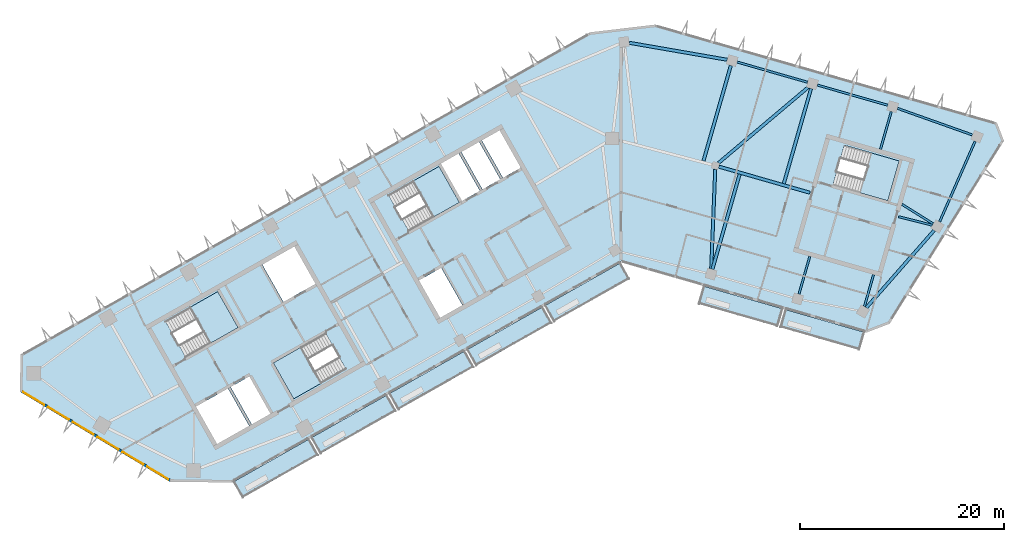
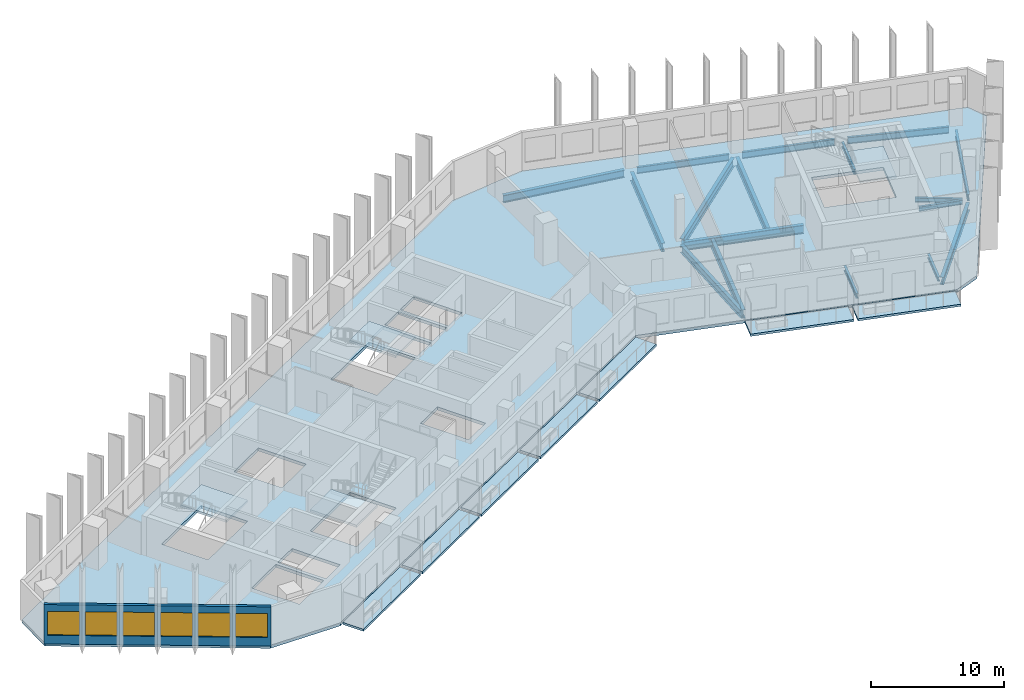
# One storey, part 2 of 12: 17 beams, 12 slabs, 6 windows, 1 wall, 6 openings, 4 elements without a shape of their own.
"""IFC4 building model written with IfcOpenShell, lengths in metres."""

from ifc_helpers import new_model, si_unit, direction, frame, frame_2d, origin, origin_2d, place, context, subcontext, project, spatial, polyline, rectangle, i_section, outline, extrude, material, layer, layer_set, material_profile, profile_set, type_object, element, fill, aggregate, save


model = new_model("IFC4")

# Units and contexts
model_context = context("Model", 3, precision=1e-05, world=origin(), true_north=direction((0.0, 1.0)))
body_context = subcontext(model_context, "Body", "Model", "MODEL_VIEW")
ifc_project = project(units=[si_unit("LENGTHUNIT", "METRE"), si_unit("AREAUNIT", "SQUARE_METRE"), si_unit("VOLUMEUNIT", "CUBIC_METRE"), si_unit("PLANEANGLEUNIT", "RADIAN"), si_unit("MASSUNIT", "GRAM", prefix="KILO")], contexts=[model_context])

# Site, building, storey
site_placement = place(None, origin())
site = spatial("IfcSite", under=ifc_project, at=site_placement, CompositionType="ELEMENT")
building_placement = place(site_placement, origin())
building = spatial("IfcBuilding", under=site, at=building_placement, Name="Binnacle Exchange Tower", CompositionType="ELEMENT")
storey_placement = place(building_placement, frame((0.0, 0.0, 215.300048828125)))
storey = spatial("IfcBuildingStorey", under=building, at=storey_placement, Name="L47", CompositionType="ELEMENT", Elevation=215.300048828125)

# Beams
ifc_material_1 = material(Name="Steel S355 (SHN355)", Category="steel")
ifc_material_profile_1 = material_profile(ifc_material_1, i_section(OverallWidth=0.199951171875, OverallDepth=0.60009765625, WebThickness=0.010986328125, FlangeThickness=0.01708984375, FilletRadius=0.02197265625, at=origin_2d()), Name="H 600x200x11x17")
ifc_profile_set_1 = profile_set([ifc_material_profile_1], Name="Steel S355 (SHN355)")
beam_type_1 = type_object("IfcBeamType", Name="Edge girder H 600x200x11x17 Steel S355 (SHN355)", PredefinedType="SPANDREL", material=ifc_profile_set_1)
beam_1_placement = place(storey_placement, frame((18.265625, 65.513916015625, -0.580078125), z_axis=(-0.961255050864, 0.275660528891, 0.0), x_axis=(-0.275660528891, -0.961255050864, 0.0)))
element("IfcBeam", 1, at=beam_1_placement, inside=storey, type_object=beam_type_1, Name="S:BM:edge:L47:029", PredefinedType="SPANDREL", context=body_context, shape_type="SweptSolid", body=[
    extrude(i_section(OverallWidth=0.199951171875, OverallDepth=0.60009765625, WebThickness=0.010986328125, FlangeThickness=0.01708984375, FilletRadius=0.02197265625, at=origin_2d()), origin(), (0.0, 0.0, 1.0), 7.1728515625),
])
beam_2_placement = place(storey_placement, frame((26.1220703125, 63.26123046875, -0.580078125), z_axis=(-0.96126665508, 0.275620060647, 0.0), x_axis=(-0.275620060647, -0.96126665508, 0.0)))
element("IfcBeam", 2, at=beam_2_placement, inside=storey, type_object=beam_type_1, Name="S:BM:edge:L47:031", PredefinedType="SPANDREL", context=body_context, shape_type="SweptSolid", body=[
    extrude(i_section(OverallWidth=0.199951171875, OverallDepth=0.60009765625, WebThickness=0.010986328125, FlangeThickness=0.01708984375, FilletRadius=0.02197265625, at=origin_2d()), origin(), (0.0, 0.0, 1.0), 7.173095703125),
])
ifc_material_profile_2 = material_profile(ifc_material_1, i_section(OverallWidth=0.200927734375, OverallDepth=0.60595703125, WebThickness=0.011962890625, FlangeThickness=0.02001953125, FilletRadius=0.02197265625, at=origin_2d()), Name="H 606x201x12x20")
ifc_profile_set_2 = profile_set([ifc_material_profile_2], Name="Steel S355 (SHN355)")
beam_type_2 = type_object("IfcBeamType", Name="Edge girder H 606x201x12x20 Steel S355 (SHN355)", PredefinedType="SPANDREL", material=ifc_profile_set_2)
beam_3_placement = place(storey_placement, frame((34.3984375, 60.3544921875, -0.5830078125), z_axis=(-0.942323270608, 0.334704128553, 0.0), x_axis=(-0.334704128553, -0.942323270608, 0.0)))
element("IfcBeam", 3, at=beam_3_placement, inside=storey, type_object=beam_type_2, Name="S:BM:edge:L47:033", PredefinedType="SPANDREL", context=body_context, shape_type="SweptSolid", body=[
    extrude(i_section(OverallWidth=0.200927734375, OverallDepth=0.60595703125, WebThickness=0.011962890625, FlangeThickness=0.02001953125, FilletRadius=0.02197265625, at=origin_2d()), origin(), (0.0, 0.0, 1.0), 7.77197265625),
])
ifc_material_profile_3 = material_profile(ifc_material_1, i_section(OverallWidth=0.201904296875, OverallDepth=0.612060546875, WebThickness=0.012939453125, FlangeThickness=0.02294921875, FilletRadius=0.02197265625, at=origin_2d()), Name="H 612x202x13x23")
ifc_profile_set_3 = profile_set([ifc_material_profile_3], Name="Steel S355 (SHN355)")
beam_type_3 = type_object("IfcBeamType", Name="Edge girder H 612x202x13x23 Steel S355 (SHN355)", PredefinedType="SPANDREL", material=ifc_profile_set_3)
beam_4_placement = place(storey_placement, frame((31.193359375, 51.848388671875, -0.5859375), z_axis=(0.403459457176, 0.914997522628, 0.0), x_axis=(-0.914997522628, 0.403459457176, 0.0)))
element("IfcBeam", 4, at=beam_4_placement, inside=storey, type_object=beam_type_3, Name="S:BM:edge:L47:032", PredefinedType="SPANDREL", context=body_context, shape_type="SweptSolid", body=[
    extrude(i_section(OverallWidth=0.201904296875, OverallDepth=0.612060546875, WebThickness=0.012939453125, FlangeThickness=0.02294921875, FilletRadius=0.02197265625, at=origin_2d()), origin(), (0.0, 0.0, 1.0), 8.61328125),
])
ifc_material_profile_4 = material_profile(ifc_material_1, i_section(OverallWidth=0.300048828125, OverallDepth=0.699951171875, WebThickness=0.012939453125, FlangeThickness=0.02392578125, FilletRadius=0.028076171875, at=origin_2d()), Name="H 700x300x13x24")
ifc_profile_set_4 = profile_set([ifc_material_profile_4], Name="Steel S355 (SHN355)")
beam_type_4 = type_object("IfcBeamType", Name="Edge girder H 700x300x13x24 Steel S355 (SHN355)", PredefinedType="SPANDREL", material=ifc_profile_set_4)
beam_5_placement = place(storey_placement, frame((10.39453125, 67.71484375, -0.630126953125), z_axis=(-0.985315512383, 0.170743494921, 0.0), x_axis=(-0.170743494921, -0.985315512383, 0.0)))
element("IfcBeam", 5, at=beam_5_placement, inside=storey, type_object=beam_type_4, Name="S:BM:edge:L47:027", PredefinedType="SPANDREL", context=body_context, shape_type="SweptSolid", body=[
    extrude(i_section(OverallWidth=0.300048828125, OverallDepth=0.699951171875, WebThickness=0.012939453125, FlangeThickness=0.02392578125, FilletRadius=0.028076171875, at=origin_2d()), origin(), (0.0, 0.0, 1.0), 9.72314453125),
])
beam_6_placement = place(storey_placement, frame((24.026123046875, 43.44580078125, -0.630126953125), z_axis=(0.659336218273, 0.751848223562, 0.0), x_axis=(-0.751848223562, 0.659336218273, 0.0)))
element("IfcBeam", 6, at=beam_6_placement, inside=storey, type_object=beam_type_4, Name="S:BM:edge:L47:030", PredefinedType="SPANDREL", context=body_context, shape_type="SweptSolid", body=[
    extrude(i_section(OverallWidth=0.300048828125, OverallDepth=0.699951171875, WebThickness=0.012939453125, FlangeThickness=0.02392578125, FilletRadius=0.028076171875, at=origin_2d()), origin(), (0.0, 0.0, 1.0), 10.0546875),
])
ifc_material_profile_5 = material_profile(ifc_material_1, i_section(OverallWidth=0.199951171875, OverallDepth=0.39990234375, WebThickness=0.008056640625, FlangeThickness=0.012939453125, FilletRadius=0.01611328125, at=origin_2d()), Name="H 400x200x8x13")
ifc_profile_set_5 = profile_set([ifc_material_profile_5], Name="Steel S355 (SHN355)")
beam_type_5 = type_object("IfcBeamType", Name="Floor beam H 400x200x8x13 Steel S355 (SHN355)", PredefinedType="BEAM", material=ifc_profile_set_5)
beam_7_placement = place(storey_placement, frame((23.832275390625, 43.55810546875, -0.47998046875), z_axis=(0.275607869103, 0.961270150628, 0.0), x_axis=(-0.961270150628, 0.275607869103, 0.0)))
element("IfcBeam", 7, at=beam_7_placement, inside=storey, type_object=beam_type_5, Name="S:BM:cross:L47:051", PredefinedType="BEAM", context=body_context, shape_type="SweptSolid", body=[
    extrude(i_section(OverallWidth=0.199951171875, OverallDepth=0.39990234375, WebThickness=0.008056640625, FlangeThickness=0.012939453125, FilletRadius=0.01611328125, at=origin_2d()), origin(), (0.0, 0.0, 1.0), 3.23583984375),
])
beam_8_placement = place(storey_placement, frame((30.5654296875, 51.6513671875, -0.47998046875), z_axis=(-0.848078408173, 0.529870751779, 0.0), x_axis=(-0.529870751779, -0.848078408173, 0.0)))
element("IfcBeam", 8, at=beam_8_placement, inside=storey, type_object=beam_type_5, Name="S:BM:cross:L47:053", PredefinedType="BEAM", context=body_context, shape_type="SweptSolid", body=[
    extrude(i_section(OverallWidth=0.199951171875, OverallDepth=0.39990234375, WebThickness=0.008056640625, FlangeThickness=0.012939453125, FilletRadius=0.01611328125, at=origin_2d()), origin(), (0.0, 0.0, 1.0), 3.59521484375),
])
ifc_material_profile_6 = material_profile(ifc_material_1, i_section(OverallWidth=0.199951171875, OverallDepth=0.449951171875, WebThickness=0.009033203125, FlangeThickness=0.013916015625, FilletRadius=0.01806640625, at=origin_2d()), Name="H 450x200x9x14")
ifc_profile_set_6 = profile_set([ifc_material_profile_6], Name="Steel S355 (SHN355)")
beam_type_6 = type_object("IfcBeamType", Name="Floor beam H 450x200x9x14 Steel S355 (SHN355)", PredefinedType="BEAM", material=ifc_profile_set_6)
for number, where, z_axis, x_axis, name in (
    (9, (17.426025390625, 44.771728515625, -0.505126953125), (0.27564586602, 0.961259255636, 0.0), (-0.961259255636, 0.27564586602, 0.0), "S:BM:cross:L47:049"),
    (10, (26.46484375, 62.642822265625, -0.505126953125), (-0.27564586602, -0.961259255636, 0.0), (0.961259255636, -0.27564586602, 0.0), "S:BM:cross:L47:052"),
):
    element("IfcBeam", number, at=place(storey_placement, frame(where, z_axis=z_axis, x_axis=x_axis)), inside=storey, type_object=beam_type_6, Name=name, PredefinedType="BEAM", context=body_context, shape_type="SweptSolid", body=[
        extrude(i_section(OverallWidth=0.199951171875, OverallDepth=0.449951171875, WebThickness=0.009033203125, FlangeThickness=0.013916015625, FilletRadius=0.01806640625, at=origin_2d()), origin(), (0.0, 0.0, 1.0), 3.835205078125),
    ])
ifc_material_profile_7 = material_profile(ifc_material_1, i_section(OverallWidth=0.300048828125, OverallDepth=0.800048828125, WebThickness=0.013916015625, FlangeThickness=0.02587890625, FilletRadius=0.028076171875, at=origin_2d()), Name="H 800x300x14x26")
ifc_profile_set_7 = profile_set([ifc_material_profile_7], Name="Steel S355 (SHN355)")
beam_type_7 = type_object("IfcBeamType", Name="Floor beam H 800x300x14x26 Steel S355 (SHN355)", PredefinedType="BEAM", material=ifc_profile_set_7)
beam_9_placement = place(storey_placement, frame((8.947265625, 47.202880859375, -0.679931640625), z_axis=(0.275643212873, 0.961260016435, 0.0), x_axis=(-0.961260016435, 0.275643212873, 0.0)))
element("IfcBeam", 11, at=beam_9_placement, inside=storey, type_object=beam_type_7, Name="S:BM:cross:L47:047", PredefinedType="BEAM", context=body_context, shape_type="SweptSolid", body=[
    extrude(i_section(OverallWidth=0.300048828125, OverallDepth=0.800048828125, WebThickness=0.013916015625, FlangeThickness=0.02587890625, FilletRadius=0.028076171875, at=origin_2d()), origin(), (0.0, 0.0, 1.0), 9.685302734375),
])
beam_10_placement = place(storey_placement, frame((10.752197265625, 67.1484375, -0.679931640625), z_axis=(-0.275623948616, -0.96126554029, 0.0), x_axis=(0.96126554029, -0.275623948616, 0.0)))
element("IfcBeam", 12, at=beam_10_placement, inside=storey, type_object=beam_type_7, Name="S:BM:cross:L47:048", PredefinedType="BEAM", context=body_context, shape_type="SweptSolid", body=[
    extrude(i_section(OverallWidth=0.300048828125, OverallDepth=0.800048828125, WebThickness=0.013916015625, FlangeThickness=0.02587890625, FilletRadius=0.028076171875, at=origin_2d()), origin(), (0.0, 0.0, 1.0), 9.71337890625),
])
beam_11_placement = place(storey_placement, frame((18.6083984375, 64.8955078125, -0.679931640625), z_axis=(-0.275626599208, -0.961264780281, 0.0), x_axis=(0.961264780281, -0.275626599208, 0.0)))
element("IfcBeam", 13, at=beam_11_placement, inside=storey, type_object=beam_type_7, Name="S:BM:cross:L47:050", PredefinedType="BEAM", context=body_context, shape_type="SweptSolid", body=[
    extrude(i_section(OverallWidth=0.300048828125, OverallDepth=0.800048828125, WebThickness=0.013916015625, FlangeThickness=0.02587890625, FilletRadius=0.028076171875, at=origin_2d()), origin(), (0.0, 0.0, 1.0), 9.68505859375),
])
ifc_material_profile_8 = material_profile(ifc_material_1, i_section(OverallWidth=0.199951171875, OverallDepth=0.39990234375, WebThickness=0.008056640625, FlangeThickness=0.012939453125, FilletRadius=0.01611328125, at=origin_2d()), Name="H 400x200x8x13")
ifc_profile_set_8 = profile_set([ifc_material_profile_8], Name="Steel S355 (SHN355)")
beam_type_8 = type_object("IfcBeamType", Name="Spine girder H 400x200x8x13 Steel S355 (SHN355)", PredefinedType="BEAM", material=ifc_profile_set_8)
beam_12_placement = place(storey_placement, frame((27.17138671875, 52.35400390625, -0.47998046875), z_axis=(0.969354959992, -0.245664326957, 0.0), x_axis=(0.245664326957, 0.969354959992, 0.0)))
element("IfcBeam", 14, at=beam_12_placement, inside=storey, type_object=beam_type_8, Name="S:BM:spine:L47:010", PredefinedType="BEAM", context=body_context, shape_type="SweptSolid", body=[
    extrude(i_section(OverallWidth=0.199951171875, OverallDepth=0.39990234375, WebThickness=0.008056640625, FlangeThickness=0.012939453125, FilletRadius=0.01611328125, at=origin_2d()), origin(), (0.0, 0.0, 1.0), 3.41357421875),
])
ifc_material_profile_9 = material_profile(ifc_material_1, i_section(OverallWidth=0.300048828125, OverallDepth=0.699951171875, WebThickness=0.012939453125, FlangeThickness=0.02392578125, FilletRadius=0.028076171875, at=origin_2d()), Name="H 700x300x13x24")
ifc_profile_set_9 = profile_set([ifc_material_profile_9], Name="Steel S355 (SHN355)")
beam_type_9 = type_object("IfcBeamType", Name="Spine girder H 700x300x13x24 Steel S355 (SHN355)", PredefinedType="BEAM", material=ifc_profile_set_9)
beam_13_placement = place(storey_placement, frame((9.226318359375, 56.990234375, -0.630126953125), z_axis=(-0.040566314933, -0.999176848257, 0.0), x_axis=(0.999176848257, -0.040566314933, 0.0)))
element("IfcBeam", 15, at=beam_13_placement, inside=storey, type_object=beam_type_9, Name="S:BM:spine:L47:007", PredefinedType="BEAM", context=body_context, shape_type="SweptSolid", body=[
    extrude(i_section(OverallWidth=0.300048828125, OverallDepth=0.699951171875, WebThickness=0.012939453125, FlangeThickness=0.02392578125, FilletRadius=0.028076171875, at=origin_2d()), origin(), (0.0, 0.0, 1.0), 9.76171875),
])
ifc_material_profile_10 = material_profile(ifc_material_1, i_section(OverallWidth=0.300048828125, OverallDepth=0.800048828125, WebThickness=0.013916015625, FlangeThickness=0.02587890625, FilletRadius=0.028076171875, at=origin_2d()), Name="H 800x300x14x26")
ifc_profile_set_10 = profile_set([ifc_material_profile_10], Name="Steel S355 (SHN355)")
beam_type_10 = type_object("IfcBeamType", Name="Spine girder H 800x300x14x26 Steel S355 (SHN355)", PredefinedType="BEAM", material=ifc_profile_set_10)
beam_14_placement = place(storey_placement, frame((9.577392578125, 57.253662109375, -0.679931640625), z_axis=(0.961262936931, -0.275633027924, 0.0), x_axis=(0.275633027924, 0.961262936931, 0.0)))
element("IfcBeam", 16, at=beam_14_placement, inside=storey, type_object=beam_type_10, Name="S:BM:spine:L47:009", PredefinedType="BEAM", context=body_context, shape_type="SweptSolid", body=[
    extrude(i_section(OverallWidth=0.300048828125, OverallDepth=0.800048828125, WebThickness=0.013916015625, FlangeThickness=0.02587890625, FilletRadius=0.028076171875, at=origin_2d()), origin(), (0.0, 0.0, 1.0), 9.26318359375),
])
ifc_material_profile_11 = material_profile(ifc_material_1, i_section(OverallWidth=0.302001953125, OverallDepth=0.80810546875, WebThickness=0.01611328125, FlangeThickness=0.030029296875, FilletRadius=0.028076171875, at=origin_2d()), Name="H 808x302x16x30")
ifc_profile_set_11 = profile_set([ifc_material_profile_11], Name="Steel S355 (SHN355)")
beam_type_11 = type_object("IfcBeamType", Name="Spine girder H 808x302x16x30 Steel S355 (SHN355)", PredefinedType="BEAM", material=ifc_profile_set_11)
beam_15_placement = place(storey_placement, frame((9.562744140625, 57.6220703125, -0.68408203125), z_axis=(0.764068797706, 0.645134770704, 0.0), x_axis=(-0.645134770704, 0.764068797706, 0.0)))
element("IfcBeam", 17, at=beam_15_placement, inside=storey, type_object=beam_type_11, Name="S:BM:spine:L47:008", PredefinedType="BEAM", context=body_context, shape_type="SweptSolid", body=[
    extrude(i_section(OverallWidth=0.302001953125, OverallDepth=0.80810546875, WebThickness=0.01611328125, FlangeThickness=0.030029296875, FilletRadius=0.028076171875, at=origin_2d()), origin(), (0.0, 0.0, 1.0), 11.417236328125),
])

# Slabs
ifc_material_2 = material(Name="Concrete C35/45", Category="concrete")
ifc_layer_1 = layer(ifc_material_2, 0.199951171875)
ifc_layer_set_1 = layer_set([ifc_layer_1], Name="BALCONY SLAB 200")
slab_type_1 = type_object("IfcSlabType", Name="BALCONY SLAB 200", PredefinedType="FLOOR", material=ifc_layer_set_1)
slab_1_placement = place(storey_placement, frame((0.0, 0.0, -0.199951171875)))
element("IfcSlab", 18, at=slab_1_placement, inside=storey, type_object=slab_type_1, Name="Balcony BA-G01-00 L47", PredefinedType="FLOOR", context=body_context, shape_type="SweptSolid", body=[
    extrude(outline(polyline([(-37.90576171875, 26.410400390625), (-30.54736328125, 30.573486328125), (-29.660888671875, 29.0068359375), (-37.019287109375, 24.84375), (-37.90576171875, 26.410400390625)])), origin(), (0.0, 0.0, 1.0), 0.199951171875),
])
slab_2_placement = place(storey_placement, frame((0.0, 0.0, -0.199951171875)))
element("IfcSlab", 19, at=slab_2_placement, inside=storey, type_object=slab_type_1, Name="Balcony BA-G01-01 L47", PredefinedType="FLOOR", context=body_context, shape_type="SweptSolid", body=[
    extrude(outline(polyline([(-30.2861328125, 30.72119140625), (-22.927734375, 34.884521484375), (-22.041259765625, 33.31787109375), (-29.39990234375, 29.15478515625), (-30.2861328125, 30.72119140625)])), origin(), (0.0, 0.0, 1.0), 0.199951171875),
])
slab_3_placement = place(storey_placement, frame((0.0, 0.0, -0.199951171875)))
element("IfcSlab", 20, at=slab_3_placement, inside=storey, type_object=slab_type_1, Name="Balcony BA-G01-02 L47", PredefinedType="FLOOR", context=body_context, shape_type="SweptSolid", body=[
    extrude(outline(polyline([(-22.66650390625, 35.0322265625), (-15.30810546875, 39.195556640625), (-14.421875, 37.62890625), (-21.7802734375, 33.465576171875), (-22.66650390625, 35.0322265625)])), origin(), (0.0, 0.0, 1.0), 0.199951171875),
])
slab_4_placement = place(storey_placement, frame((0.0, 0.0, -0.199951171875)))
element("IfcSlab", 21, at=slab_4_placement, inside=storey, type_object=slab_type_1, Name="Balcony BA-G01-03 L47", PredefinedType="FLOOR", context=body_context, shape_type="SweptSolid", body=[
    extrude(outline(polyline([(-15.047119140625, 39.34326171875), (-7.6884765625, 43.50634765625), (-6.802001953125, 41.939697265625), (-14.16064453125, 37.776611328125), (-15.047119140625, 39.34326171875)])), origin(), (0.0, 0.0, 1.0), 0.199951171875),
])
slab_5_placement = place(storey_placement, frame((0.0, 0.0, -0.199951171875)))
element("IfcSlab", 22, at=slab_5_placement, inside=storey, type_object=slab_type_1, Name="Balcony BA-G01-04 L47", PredefinedType="FLOOR", context=body_context, shape_type="SweptSolid", body=[
    extrude(outline(polyline([(-7.427490234375, 43.654296875), (-0.069091796875, 47.8173828125), (0.8173828125, 46.250732421875), (-6.541015625, 42.08740234375), (-7.427490234375, 43.654296875)])), origin(), (0.0, 0.0, 1.0), 0.199951171875),
])
slab_6_placement = place(storey_placement, frame((0.0, 0.0, -0.199951171875)))
element("IfcSlab", 23, at=slab_6_placement, inside=storey, type_object=slab_type_1, Name="Balcony BA-G02-01 L47", PredefinedType="FLOOR", context=body_context, shape_type="SweptSolid", body=[
    extrude(outline(polyline([(8.10791015625, 45.545166015625), (15.8173828125, 43.33447265625), (15.3212890625, 41.60400390625), (7.61181640625, 43.814697265625), (8.10791015625, 45.545166015625)])), origin(), (0.0, 0.0, 1.0), 0.199951171875),
])
slab_7_placement = place(storey_placement, frame((0.0, 0.0, -0.199951171875)))
element("IfcSlab", 24, at=slab_7_placement, inside=storey, type_object=slab_type_1, Name="Balcony BA-G02-02 L47", PredefinedType="FLOOR", context=body_context, shape_type="SweptSolid", body=[
    extrude(outline(polyline([(16.10595703125, 43.251708984375), (23.815673828125, 41.041015625), (23.319580078125, 39.310791015625), (15.60986328125, 41.521484375), (16.10595703125, 43.251708984375)])), origin(), (0.0, 0.0, 1.0), 0.199951171875),
])
ifc_layer_2 = layer(ifc_material_2, 0.280029296875)
ifc_layer_set_2 = layer_set([ifc_layer_2], Name="Floor slab 280 Concrete C35/45")
slab_type_2 = type_object("IfcSlabType", Name="Floor slab 280 Concrete C35/45", PredefinedType="FLOOR", material=ifc_layer_set_2)
slab_8_placement = place(storey_placement, frame((0.0, 0.0, -0.280029296875)))
element("IfcSlab", 25, at=slab_8_placement, inside=storey, type_object=slab_type_2, Name="S:SL:L47:01", PredefinedType="FLOOR", context=body_context, shape_type="SweptSolid", body=[
    extrude(outline(polyline([(-58.716064453125, 35.280029296875), (-58.669921875, 38.80615234375), (-3.046142578125, 70.276611328125), (3.364501953125, 71.035400390625), (36.71240234375, 61.472900390625), (37.359375, 59.787353515625), (26.23095703125, 41.978515625), (23.994140625, 41.119873046875), (0.0, 48.0), (-38.097900390625, 26.4453125), (-44.14404296875, 26.5244140625), (-58.716064453125, 35.280029296875)]), holes=[polyline([(-38.4794921875, 35.529296875), (-41.61279296875, 33.756591796875), (-39.544677734375, 30.10107421875), (-36.411376953125, 31.873779296875), (-38.4794921875, 35.529296875)]), polyline([(-36.390625, 36.711181640625), (-38.21826171875, 35.677001953125), (-36.150146484375, 32.021484375), (-34.322509765625, 33.0556640625), (-36.390625, 36.711181640625)]), polyline([(-32.04638671875, 34.515625), (-26.9287109375, 37.4111328125), (-28.923095703125, 40.93603515625), (-34.040771484375, 38.04052734375), (-32.04638671875, 34.515625)]), polyline([(-37.486572265625, 41.4912109375), (-39.480712890625, 45.01611328125), (-44.598388671875, 42.12060546875), (-42.604248046875, 38.595703125), (-37.486572265625, 41.4912109375)]), polyline([(-29.914306640625, 45.775390625), (-31.982666015625, 49.430908203125), (-35.115966796875, 47.657958984375), (-33.047607421875, 44.00244140625), (-29.914306640625, 45.775390625)]), polyline([(-17.81689453125, 57.27294921875), (-22.760498046875, 54.47607421875), (-20.76611328125, 50.950927734375), (-15.822509765625, 53.748046875), (-17.81689453125, 57.27294921875)]), polyline([(-15.53076171875, 43.6875), (-17.598876953125, 47.343017578125), (-19.77490234375, 46.11181640625), (-17.70654296875, 42.456298828125), (-15.53076171875, 43.6875)]), polyline([(-13.82080078125, 54.880615234375), (-15.888916015625, 58.5361328125), (-17.629638671875, 57.55126953125), (-15.5615234375, 53.895751953125), (-13.82080078125, 54.880615234375)]), polyline([(27.227783203125, 57.810302734375), (21.864013671875, 59.348388671875), (20.74755859375, 55.455078125), (26.111328125, 53.9169921875), (27.227783203125, 57.810302734375)]), polyline([(-11.819091796875, 56.01318359375), (-13.88720703125, 59.668701171875), (-15.6279296875, 58.683837890625), (-13.559814453125, 55.0283203125), (-11.819091796875, 56.01318359375)]), polyline([(-9.817138671875, 57.145751953125), (-11.885498046875, 60.80126953125), (-13.626220703125, 59.81640625), (-11.557861328125, 56.160888671875), (-9.817138671875, 57.145751953125)])]), origin(), (0.0, 0.0, 1.0), 0.280029296875),
])

# Stair, slab
stair_type = type_object("IfcStairType", Name="STAIR 22 RISERS 177", PredefinedType="HALF_TURN_STAIR", material=ifc_material_2)
stair_1_placement = place(storey_placement, origin())
stair_1 = element("IfcStair", 26, at=stair_1_placement, inside=storey, type_object=stair_type, Name="L47 Escape stair A1", PredefinedType="HALF_TURN_STAIR")
ifc_layer_3 = layer(ifc_material_2, 0.199951171875)
ifc_layer_set_3 = layer_set([ifc_layer_3], Name="STAIR LANDING 200")
slab_type_3 = type_object("IfcSlabType", Name="STAIR LANDING 200", PredefinedType="LANDING", material=ifc_layer_set_3)
slab_9_placement = place(storey_placement, frame((0.0, 0.0, 1.75)))
slab_9 = element("IfcSlab", 27, at=slab_9_placement, type_object=slab_type_3, Name="STA1 landing 1", PredefinedType="LANDING", context=body_context, shape_type="SweptSolid", body=[
    extrude(outline(polyline([(-40.2021484375, 39.954833984375), (-37.486572265625, 41.4912109375), (-39.48095703125, 45.01611328125), (-42.1962890625, 43.479736328125), (-40.2021484375, 39.954833984375)])), origin(), (0.0, 0.0, 1.0), 0.199951171875),
])
aggregate(stair_1, [slab_9])

stair_2_placement = place(storey_placement, origin())
stair_2 = element("IfcStair", 28, at=stair_2_placement, inside=storey, type_object=stair_type, Name="L47 Escape stair A2", PredefinedType="HALF_TURN_STAIR")
slab_10_placement = place(storey_placement, frame((0.0, 0.0, 1.75)))
slab_10 = element("IfcSlab", 29, at=slab_10_placement, type_object=slab_type_3, Name="STA2 landing 1", PredefinedType="LANDING", context=body_context, shape_type="SweptSolid", body=[
    extrude(outline(polyline([(-31.3251953125, 39.576904296875), (-34.040771484375, 38.04052734375), (-32.04638671875, 34.515625), (-29.330810546875, 36.052001953125), (-31.3251953125, 39.576904296875)])), origin(), (0.0, 0.0, 1.0), 0.199951171875),
])
aggregate(stair_2, [slab_10])

stair_3_placement = place(storey_placement, origin())
stair_3 = element("IfcStair", 30, at=stair_3_placement, inside=storey, type_object=stair_type, Name="L47 Escape stair C1", PredefinedType="HALF_TURN_STAIR")
slab_11_placement = place(storey_placement, frame((0.0, 0.0, 1.75)))
slab_11 = element("IfcSlab", 31, at=slab_11_placement, type_object=slab_type_3, Name="STC1 landing 1", PredefinedType="LANDING", context=body_context, shape_type="SweptSolid", body=[
    extrude(outline(polyline([(-18.364013671875, 52.31005859375), (-15.822509765625, 53.748046875), (-17.81689453125, 57.27294921875), (-20.3583984375, 55.8349609375), (-18.364013671875, 52.31005859375)])), origin(), (0.0, 0.0, 1.0), 0.199951171875),
])
aggregate(stair_3, [slab_11])

stair_4_placement = place(storey_placement, origin())
stair_4 = element("IfcStair", 32, at=stair_4_placement, inside=storey, type_object=stair_type, Name="L47 Escape stair D1", PredefinedType="HALF_TURN_STAIR")
slab_12_placement = place(storey_placement, frame((0.0, 0.0, 1.75)))
slab_12 = element("IfcSlab", 33, at=slab_12_placement, type_object=slab_type_3, Name="STD1 landing 1", PredefinedType="LANDING", context=body_context, shape_type="SweptSolid", body=[
    extrude(outline(polyline([(23.400634765625, 54.6943359375), (26.111328125, 53.917236328125), (27.227783203125, 57.810302734375), (24.516845703125, 58.587646484375), (23.400634765625, 54.6943359375)])), origin(), (0.0, 0.0, 1.0), 0.199951171875),
])
aggregate(stair_4, [slab_12])

# Wall, openings, windows
ifc_material_3 = material(Name="Bronze aluminium cladding", Category="aluminium")
ifc_layer_4 = layer(ifc_material_3, 0.25)
ifc_layer_set_4 = layer_set([ifc_layer_4], Name="External wall - window wall 250")
wall_type = type_object("IfcWallType", Name="External wall - window wall 250", PredefinedType="STANDARD", material=ifc_layer_set_4)
wall_placement = place(storey_placement, frame((-44.115234375, 26.507080078125, 0.0), z_axis=(0.0, 0.0, 1.0), x_axis=(-0.857166583633, 0.515039268311, 0.0)))
wall = element("IfcWall", 34, at=wall_placement, inside=storey, type_object=wall_type, Name="External wall EW-G10 L47", PredefinedType="STANDARD", context=body_context, shape_type="SweptSolid", body=[
    extrude(rectangle(XDim=17.105712890625, YDim=0.25, at=frame_2d((8.552734375, 0.0))), origin(), (0.0, 0.0, 1.0), 3.619873046875),
])
opening_1_placement = place(wall_placement, frame((14.4169921875, 0.0, 0.800048828125)))
opening_1 = element("IfcOpeningElement", 35, at=opening_1_placement, cuts=wall, Name="Opening WR1", PredefinedType="OPENING", context=body_context, shape_type="SweptSolid", body=[
    extrude(rectangle(XDim=2.39990234375, YDim=2.199951171875, at=frame_2d((1.199951171875, 1.10009765625))), frame((0.0, 0.135009765625, 0.0), z_axis=(0.0, -1.0, 0.0), x_axis=(1.0, 0.0, 0.0)), (0.0, 0.0, 1.0), 0.27001953125),
])
opening_2_placement = place(wall_placement, frame((11.583740234375, 0.0, 0.800048828125)))
opening_2 = element("IfcOpeningElement", 36, at=opening_2_placement, cuts=wall, Name="Opening WR1", PredefinedType="OPENING", context=body_context, shape_type="SweptSolid", body=[
    extrude(rectangle(XDim=2.39990234375, YDim=2.199951171875, at=frame_2d((1.199951171875, 1.10009765625))), frame((0.0, 0.135009765625, 0.0), z_axis=(0.0, -1.0, 0.0), x_axis=(1.0, 0.0, 0.0)), (0.0, 0.0, 1.0), 0.27001953125),
])
opening_3_placement = place(wall_placement, frame((8.75048828125, 0.0, 0.800048828125)))
opening_3 = element("IfcOpeningElement", 37, at=opening_3_placement, cuts=wall, Name="Opening WR1", PredefinedType="OPENING", context=body_context, shape_type="SweptSolid", body=[
    extrude(rectangle(XDim=2.39990234375, YDim=2.199951171875, at=frame_2d((1.199951171875, 1.10009765625))), frame((0.0, 0.135009765625, 0.0), z_axis=(0.0, -1.0, 0.0), x_axis=(1.0, 0.0, 0.0)), (0.0, 0.0, 1.0), 0.27001953125),
])
opening_4_placement = place(wall_placement, frame((5.9169921875, 0.0, 0.800048828125)))
opening_4 = element("IfcOpeningElement", 38, at=opening_4_placement, cuts=wall, Name="Opening WR1", PredefinedType="OPENING", context=body_context, shape_type="SweptSolid", body=[
    extrude(rectangle(XDim=2.39990234375, YDim=2.199951171875, at=frame_2d((1.199951171875, 1.10009765625))), frame((0.0, 0.135009765625, 0.0), z_axis=(0.0, -1.0, 0.0), x_axis=(1.0, 0.0, 0.0)), (0.0, 0.0, 1.0), 0.27001953125),
])
opening_5_placement = place(wall_placement, frame((3.083740234375, 0.0, 0.800048828125)))
opening_5 = element("IfcOpeningElement", 39, at=opening_5_placement, cuts=wall, Name="Opening WR1", PredefinedType="OPENING", context=body_context, shape_type="SweptSolid", body=[
    extrude(rectangle(XDim=2.39990234375, YDim=2.199951171875, at=frame_2d((1.199951171875, 1.10009765625))), frame((0.0, 0.135009765625, 0.0), z_axis=(0.0, -1.0, 0.0), x_axis=(1.0, 0.0, 0.0)), (0.0, 0.0, 1.0), 0.27001953125),
])
opening_6_placement = place(wall_placement, frame((0.25048828125, 0.0, 0.800048828125)))
opening_6 = element("IfcOpeningElement", 40, at=opening_6_placement, cuts=wall, Name="Opening WR1", PredefinedType="OPENING", context=body_context, shape_type="SweptSolid", body=[
    extrude(rectangle(XDim=2.39990234375, YDim=2.199951171875, at=frame_2d((1.199951171875, 1.10009765625))), frame((0.0, 0.135009765625, 0.0), z_axis=(0.0, -1.0, 0.0), x_axis=(1.0, 0.0, 0.0)), (0.0, 0.0, 1.0), 0.27001953125),
])
ifc_material_4 = material(Name="Bronze anodised aluminium frame", Category="aluminium")
window_type = type_object("IfcWindowType", Name="WR1 WINDOW 2400x2200", PartitioningType="SINGLE_PANEL", PredefinedType="WINDOW", material=ifc_material_4)
window_1_placement = place(opening_1_placement, origin())
window_1 = element("IfcWindow", 41, at=window_1_placement, inside=storey, type_object=window_type, Name="Window WR1 L47", OverallHeight=2.199951171875, OverallWidth=2.39990234375, PartitioningType="SINGLE_PANEL", PredefinedType="WINDOW", context=body_context, shape_type="SweptSolid", body=[
    extrude(rectangle(XDim=2.39990234375, YDim=2.199951171875, at=frame_2d((1.199951171875, 1.10009765625))), frame((0.0, 0.030029296875, 0.0), z_axis=(0.0, -1.0, 0.0), x_axis=(1.0, 0.0, 0.0)), (0.0, 0.0, 1.0), 0.06005859375),
])
fill(opening_1, window_1)
window_2_placement = place(opening_2_placement, origin())
window_2 = element("IfcWindow", 42, at=window_2_placement, inside=storey, type_object=window_type, Name="Window WR1 L47", OverallHeight=2.199951171875, OverallWidth=2.39990234375, PartitioningType="SINGLE_PANEL", PredefinedType="WINDOW", context=body_context, shape_type="SweptSolid", body=[
    extrude(rectangle(XDim=2.39990234375, YDim=2.199951171875, at=frame_2d((1.199951171875, 1.10009765625))), frame((0.0, 0.030029296875, 0.0), z_axis=(0.0, -1.0, 0.0), x_axis=(1.0, 0.0, 0.0)), (0.0, 0.0, 1.0), 0.06005859375),
])
fill(opening_2, window_2)
window_3_placement = place(opening_3_placement, origin())
window_3 = element("IfcWindow", 43, at=window_3_placement, inside=storey, type_object=window_type, Name="Window WR1 L47", OverallHeight=2.199951171875, OverallWidth=2.39990234375, PartitioningType="SINGLE_PANEL", PredefinedType="WINDOW", context=body_context, shape_type="SweptSolid", body=[
    extrude(rectangle(XDim=2.39990234375, YDim=2.199951171875, at=frame_2d((1.199951171875, 1.10009765625))), frame((0.0, 0.030029296875, 0.0), z_axis=(0.0, -1.0, 0.0), x_axis=(1.0, 0.0, 0.0)), (0.0, 0.0, 1.0), 0.06005859375),
])
fill(opening_3, window_3)
window_4_placement = place(opening_4_placement, origin())
window_4 = element("IfcWindow", 44, at=window_4_placement, inside=storey, type_object=window_type, Name="Window WR1 L47", OverallHeight=2.199951171875, OverallWidth=2.39990234375, PartitioningType="SINGLE_PANEL", PredefinedType="WINDOW", context=body_context, shape_type="SweptSolid", body=[
    extrude(rectangle(XDim=2.39990234375, YDim=2.199951171875, at=frame_2d((1.199951171875, 1.10009765625))), frame((0.0, 0.030029296875, 0.0), z_axis=(0.0, -1.0, 0.0), x_axis=(1.0, 0.0, 0.0)), (0.0, 0.0, 1.0), 0.06005859375),
])
fill(opening_4, window_4)
window_5_placement = place(opening_5_placement, origin())
window_5 = element("IfcWindow", 45, at=window_5_placement, inside=storey, type_object=window_type, Name="Window WR1 L47", OverallHeight=2.199951171875, OverallWidth=2.39990234375, PartitioningType="SINGLE_PANEL", PredefinedType="WINDOW", context=body_context, shape_type="SweptSolid", body=[
    extrude(rectangle(XDim=2.39990234375, YDim=2.199951171875, at=frame_2d((1.199951171875, 1.10009765625))), frame((0.0, 0.030029296875, 0.0), z_axis=(0.0, -1.0, 0.0), x_axis=(1.0, 0.0, 0.0)), (0.0, 0.0, 1.0), 0.06005859375),
])
fill(opening_5, window_5)
window_6_placement = place(opening_6_placement, origin())
window_6 = element("IfcWindow", 46, at=window_6_placement, inside=storey, type_object=window_type, Name="Window WR1 L47", OverallHeight=2.199951171875, OverallWidth=2.39990234375, PartitioningType="SINGLE_PANEL", PredefinedType="WINDOW", context=body_context, shape_type="SweptSolid", body=[
    extrude(rectangle(XDim=2.39990234375, YDim=2.199951171875, at=frame_2d((1.199951171875, 1.10009765625))), frame((0.0, 0.030029296875, 0.0), z_axis=(0.0, -1.0, 0.0), x_axis=(1.0, 0.0, 0.0)), (0.0, 0.0, 1.0), 0.06005859375),
])
fill(opening_6, window_6)

save(model, "model.ifc")
